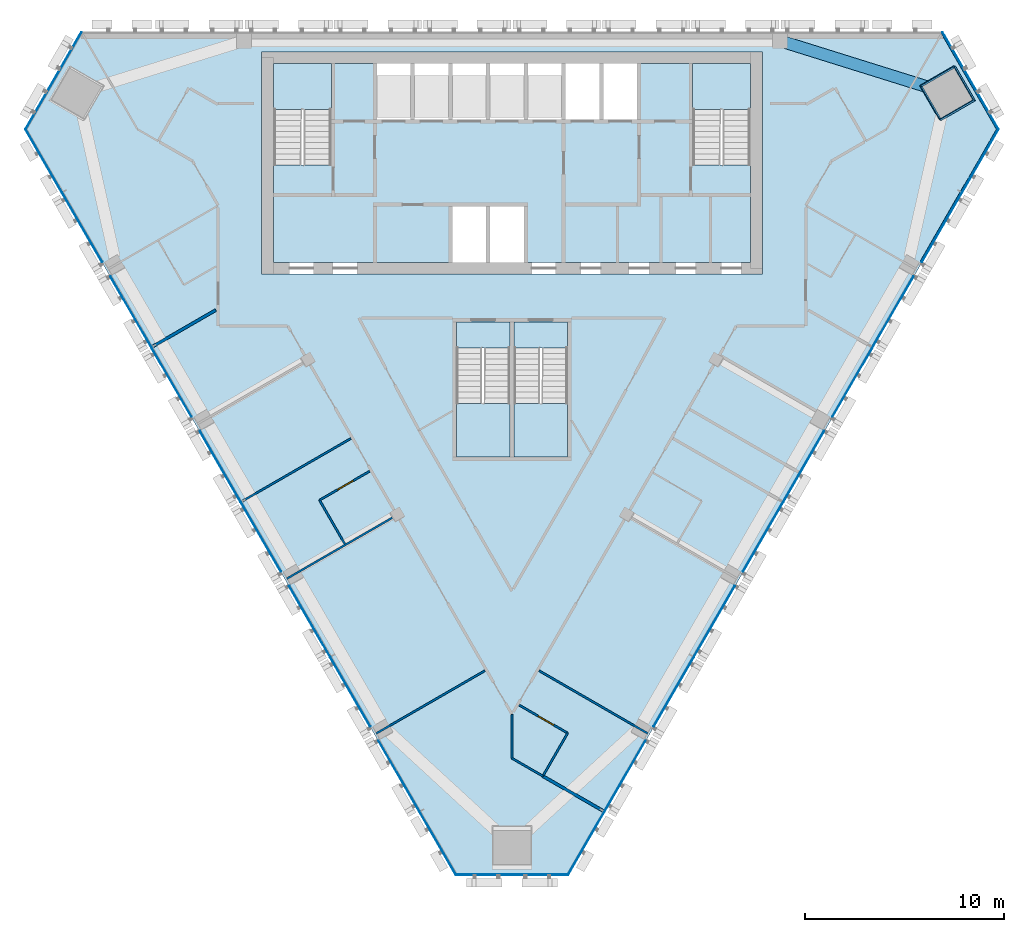
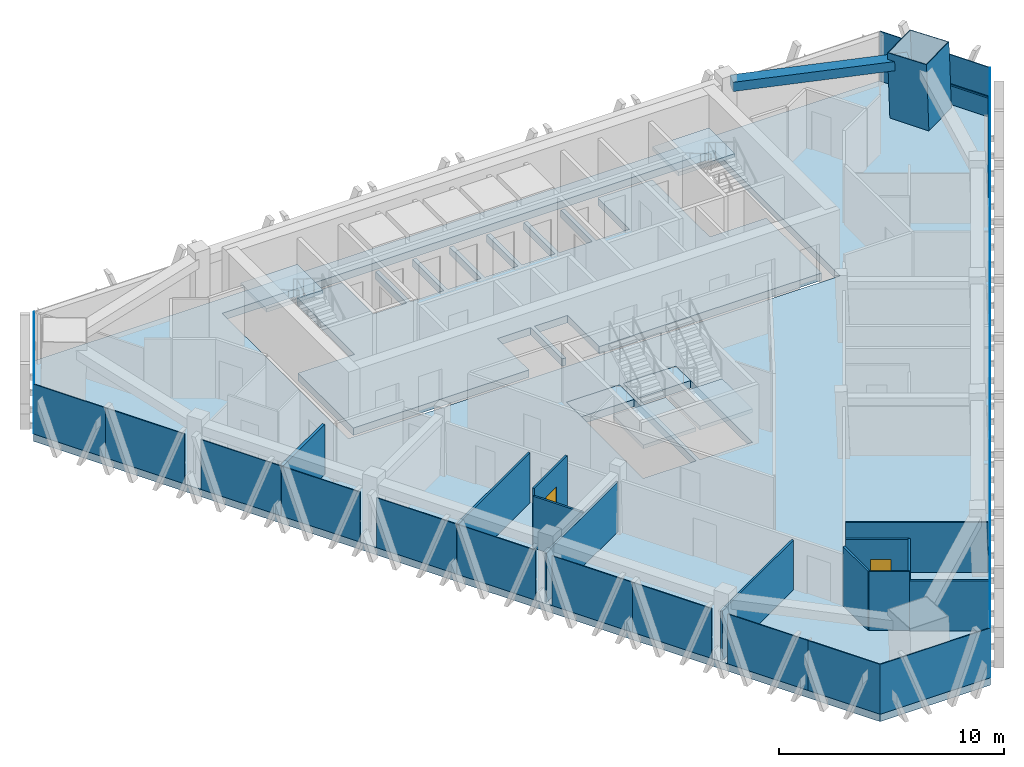
# One storey, part 7 of 14: 23 plates, 12 walls, 8 slabs, 3 members, 2 doors, 1 beam, 2 openings, 9 elements without a shape of their own.
"""IFC4 building model written with IfcOpenShell, lengths in metres."""

from ifc_helpers import new_model, si_unit, direction, frame, frame_2d, origin, origin_2d, place, context, subcontext, project, spatial, polyline, rectangle, hollow_rectangle, outline, extrude, material, layer, layer_set, material_profile, profile_set, type_object, element, fill, aggregate, save


model = new_model("IFC4")

# Units and contexts
model_context = context("Model", 3, precision=1e-05, world=origin(), true_north=direction((0.0, 1.0)))
body_context = subcontext(model_context, "Body", "Model", "MODEL_VIEW")
ifc_project = project(units=[si_unit("LENGTHUNIT", "METRE"), si_unit("AREAUNIT", "SQUARE_METRE"), si_unit("VOLUMEUNIT", "CUBIC_METRE"), si_unit("PLANEANGLEUNIT", "RADIAN"), si_unit("MASSUNIT", "GRAM", prefix="KILO")], contexts=[model_context])

# Site, building, storey
site_placement = place(None, origin())
site = spatial("IfcSite", under=ifc_project, at=site_placement, CompositionType="ELEMENT")
building_placement = place(site_placement, origin())
building = spatial("IfcBuilding", under=site, at=building_placement, Name="Altiplano Prism Tower", CompositionType="ELEMENT")
storey_placement = place(building_placement, frame((0.0, 0.0, 230.199951171875)))
storey = spatial("IfcBuildingStorey", under=building, at=storey_placement, Name="L59", CompositionType="ELEMENT", Elevation=230.199951171875)

# Curtain wall, member
ifc_material_1 = material(Name="Aluminium and glass", Category="aluminium")
ifc_layer_1 = layer(ifc_material_1, 0.280029296875)
ifc_layer_set_1 = layer_set([ifc_layer_1], Name="Aluminium and glass")
curtain_wall_type = type_object("IfcCurtainWallType", Name="CW1 typical co-living unitised curtain wall", PredefinedType="NOTDEFINED", material=ifc_layer_set_1)
curtain_wall_1_placement = place(storey_placement, origin())
curtain_wall_1 = element("IfcCurtainWall", 1, at=curtain_wall_1_placement, inside=storey, type_object=curtain_wall_type, Name="CW1 curtain wall south-east face L59", PredefinedType="NOTDEFINED")
ifc_material_2 = material(Name="Aluminium", Category="aluminium")
ifc_material_profile_1 = material_profile(ifc_material_2, rectangle(XDim=0.06005859375, YDim=0.080078125, at=origin_2d()), Name="CW1 transom 80 x 60")
ifc_profile_set_1 = profile_set([ifc_material_profile_1], Name="Aluminium")
member_type_1 = type_object("IfcMemberType", Name="CW1 transom 80 x 60", PredefinedType="USERDEFINED", material=ifc_profile_set_1)
member_1_placement = place(storey_placement, frame((105.588134765625, 93.440185546875, 1.10009765625), z_axis=(0.500016687369, 0.866015769113, 0.0), x_axis=(-0.866015769113, 0.500016687369, 0.0)))
member_1 = element("IfcMember", 2, at=member_1_placement, type_object=member_type_1, Name="CW1 transom", ObjectType="TRANSOM", PredefinedType="USERDEFINED", context=body_context, shape_type="SweptSolid", body=[
    extrude(rectangle(XDim=0.06005859375, YDim=0.080078125, at=origin_2d()), origin(), (0.0, 0.0, 1.0), 7.733154296875),
])

curtain_wall_2_placement = place(storey_placement, origin())
curtain_wall_2 = element("IfcCurtainWall", 3, at=curtain_wall_2_placement, inside=storey, type_object=curtain_wall_type, Name="CW1 curtain wall north-east chamfer L59", PredefinedType="NOTDEFINED")
member_2_placement = place(storey_placement, frame((109.454833984375, 100.067138671875, 1.10009765625), z_axis=(-0.500006439447, 0.866021685936, 0.0), x_axis=(-0.866021685936, -0.500006439447, 0.0)))
member_2 = element("IfcMember", 4, at=member_2_placement, type_object=member_type_1, Name="CW1 transom", ObjectType="TRANSOM", PredefinedType="USERDEFINED", context=body_context, shape_type="SweptSolid", body=[
    extrude(rectangle(XDim=0.06005859375, YDim=0.080078125, at=origin_2d()), origin(), (0.0, 0.0, 1.0), 5.65576171875),
])

# Beam
ifc_material_3 = material(Name="Concrete C60/75", Category="concrete")
ifc_material_profile_2 = material_profile(ifc_material_3, rectangle(XDim=0.60009765625, YDim=0.5, at=origin_2d()), Name="Edge beam 600x500")
ifc_profile_set_2 = profile_set([ifc_material_profile_2], Name="Concrete C60/75")
beam_type = type_object("IfcBeamType", Name="Edge beam 600x500", PredefinedType="SPANDREL", material=ifc_profile_set_2)
beam_placement = place(storey_placement, frame((106.44384765625, 102.068603515625, 2.949951171875), z_axis=(-0.954511813579, 0.298173100292, 0.0), x_axis=(-0.298173100292, -0.954511813579, 0.0)))
element("IfcBeam", 5, at=beam_placement, inside=storey, type_object=beam_type, Name="Edge beam M2-P01 L60", PredefinedType="SPANDREL", context=body_context, shape_type="SweptSolid", body=[
    extrude(rectangle(XDim=0.60009765625, YDim=0.5, at=origin_2d()), origin(), (0.0, 0.0, 1.0), 8.049560546875),
])

# Member
ifc_material_4 = material(Name="Steel S460", Category="steel")
ifc_material_profile_3 = material_profile(ifc_material_4, hollow_rectangle(XDim=2.0, YDim=2.0, WallThickness=0.0400390625, at=origin_2d()), Name="Mega column tube 2000")
ifc_profile_set_3 = profile_set([ifc_material_profile_3], Name="Steel S460")
member_type_2 = type_object("IfcMemberType", Name="Mega column tube 2000", PredefinedType="POST", material=ifc_profile_set_3)
member_3_placement = place(storey_placement, frame((106.9755859375, 101.901123046875, 0.0), z_axis=(-0.028334084323, 0.009218745139, 0.999555998633), x_axis=(0.500158596794, -0.865650184685, 0.022161584062)))
element("IfcMember", 6, at=member_3_placement, inside=storey, type_object=member_type_2, Name="Mega column tube M2 L59", PredefinedType="POST", context=body_context, shape_type="SweptSolid", body=[
    extrude(hollow_rectangle(XDim=2.0, YDim=2.0, WallThickness=0.0400390625, at=origin_2d()), origin(), (0.0, 0.0, 1.0), 3.601806640625),
])

# Curtain wall, plate
curtain_wall_3_placement = place(storey_placement, origin())
curtain_wall_3 = element("IfcCurtainWall", 7, at=curtain_wall_3_placement, inside=storey, type_object=curtain_wall_type, Name="CW1 curtain wall north-west chamfer L59", PredefinedType="NOTDEFINED")
ifc_material_5 = material(Name="Clear glass", Category="glass")
ifc_layer_2 = layer(ifc_material_5, 0.0400390625)
ifc_layer_set_2 = layer_set([ifc_layer_2], Name="Clear glass")
plate_type = type_object("IfcPlateType", Name="CW1 insulated glass unit 40", PredefinedType="CURTAIN_PANEL", material=ifc_layer_set_2)
plate_1_placement = place(storey_placement, frame((61.915771484375, 102.541015625, 0.0), z_axis=(0.0, 0.0, 1.0), x_axis=(-0.499999996811, -0.866025405626, 0.0)))
plate_1 = element("IfcPlate", 8, at=plate_1_placement, type_object=plate_type, Name="CW1 panel", PredefinedType="CURTAIN_PANEL", context=body_context, shape_type="SweptSolid", body=[
    extrude(rectangle(XDim=5.6455078125, YDim=0.0400390625, at=origin_2d()), origin(), (0.0, 0.0, 1.0), 2.699951171875),
])
aggregate(curtain_wall_3, [plate_1])

# Curtain wall, plates
curtain_wall_4_placement = place(storey_placement, origin())
curtain_wall_4 = element("IfcCurtainWall", 9, at=curtain_wall_4_placement, inside=storey, type_object=curtain_wall_type, Name="CW1 curtain wall south-west face L59", PredefinedType="NOTDEFINED")
plate_2_placement = place(storey_placement, frame((61.423828125, 98.515380859375, 0.0), z_axis=(0.0, 0.0, 1.0), x_axis=(0.500000005517, -0.866025400599, 0.0)))
plate_2 = element("IfcPlate", 10, at=plate_2_placement, type_object=plate_type, Name="CW1 panel", PredefinedType="CURTAIN_PANEL", context=body_context, shape_type="SweptSolid", body=[
    extrude(rectangle(XDim=3.677734375, YDim=0.0400390625, at=origin_2d()), origin(), (0.0, 0.0, 1.0), 2.699951171875),
])
plate_3_placement = place(storey_placement, frame((63.357177734375, 95.1669921875, 0.0), z_axis=(0.0, 0.0, 1.0), x_axis=(0.500000005517, -0.866025400599, 0.0)))
plate_3 = element("IfcPlate", 11, at=plate_3_placement, type_object=plate_type, Name="CW1 panel", PredefinedType="CURTAIN_PANEL", context=body_context, shape_type="SweptSolid", body=[
    extrude(rectangle(XDim=4.035400390625, YDim=0.0400390625, at=origin_2d()), origin(), (0.0, 0.0, 1.0), 2.699951171875),
])
plate_4_placement = place(storey_placement, frame((65.814697265625, 90.910400390625, 0.0), z_axis=(0.0, 0.0, 1.0), x_axis=(0.500000005517, -0.866025400599, 0.0)))
plate_4 = element("IfcPlate", 12, at=plate_4_placement, type_object=plate_type, Name="CW1 panel", PredefinedType="CURTAIN_PANEL", context=body_context, shape_type="SweptSolid", body=[
    extrude(rectangle(XDim=4.114501953125, YDim=0.0400390625, at=origin_2d()), origin(), (0.0, 0.0, 1.0), 2.699951171875),
])
plate_5_placement = place(storey_placement, frame((67.857177734375, 87.37255859375, 0.0), z_axis=(0.0, 0.0, 1.0), x_axis=(0.500000005517, -0.866025400599, 0.0)))
plate_5 = element("IfcPlate", 13, at=plate_5_placement, type_object=plate_type, Name="CW1 panel", PredefinedType="CURTAIN_PANEL", context=body_context, shape_type="SweptSolid", body=[
    extrude(rectangle(XDim=4.035400390625, YDim=0.0400390625, at=origin_2d()), origin(), (0.0, 0.0, 1.0), 2.699951171875),
])
plate_6_placement = place(storey_placement, frame((70.314697265625, 83.115966796875, 0.0), z_axis=(0.0, 0.0, 1.0), x_axis=(0.500000005517, -0.866025400599, 0.0)))
plate_6 = element("IfcPlate", 14, at=plate_6_placement, type_object=plate_type, Name="CW1 panel", PredefinedType="CURTAIN_PANEL", context=body_context, shape_type="SweptSolid", body=[
    extrude(rectangle(XDim=4.114501953125, YDim=0.0400390625, at=origin_2d()), origin(), (0.0, 0.0, 1.0), 2.699951171875),
])
plate_7_placement = place(storey_placement, frame((72.357177734375, 79.578369140625, 0.0), z_axis=(0.0, 0.0, 1.0), x_axis=(0.500000005517, -0.866025400599, 0.0)))
plate_7 = element("IfcPlate", 15, at=plate_7_placement, type_object=plate_type, Name="CW1 panel", PredefinedType="CURTAIN_PANEL", context=body_context, shape_type="SweptSolid", body=[
    extrude(rectangle(XDim=4.035400390625, YDim=0.0400390625, at=origin_2d()), origin(), (0.0, 0.0, 1.0), 2.699951171875),
])
plate_8_placement = place(storey_placement, frame((74.814697265625, 75.32177734375, 0.0), z_axis=(0.0, 0.0, 1.0), x_axis=(0.500000005517, -0.866025400599, 0.0)))
plate_8 = element("IfcPlate", 16, at=plate_8_placement, type_object=plate_type, Name="CW1 panel", PredefinedType="CURTAIN_PANEL", context=body_context, shape_type="SweptSolid", body=[
    extrude(rectangle(XDim=4.114501953125, YDim=0.0400390625, at=origin_2d()), origin(), (0.0, 0.0, 1.0), 2.699951171875),
])
plate_9_placement = place(storey_placement, frame((76.857177734375, 71.7841796875, 0.0), z_axis=(0.0, 0.0, 1.0), x_axis=(0.500000005517, -0.866025400599, 0.0)))
plate_9 = element("IfcPlate", 17, at=plate_9_placement, type_object=plate_type, Name="CW1 panel", PredefinedType="CURTAIN_PANEL", context=body_context, shape_type="SweptSolid", body=[
    extrude(rectangle(XDim=4.035400390625, YDim=0.0400390625, at=origin_2d()), origin(), (0.0, 0.0, 1.0), 2.699951171875),
])
plate_10_placement = place(storey_placement, frame((79.314697265625, 67.527587890625, 0.0), z_axis=(0.0, 0.0, 1.0), x_axis=(0.500000005517, -0.866025400599, 0.0)))
plate_10 = element("IfcPlate", 18, at=plate_10_placement, type_object=plate_type, Name="CW1 panel", PredefinedType="CURTAIN_PANEL", context=body_context, shape_type="SweptSolid", body=[
    extrude(rectangle(XDim=4.114501953125, YDim=0.0400390625, at=origin_2d()), origin(), (0.0, 0.0, 1.0), 2.699951171875),
])
plate_11_placement = place(storey_placement, frame((81.267578125, 64.14501953125, 0.0), z_axis=(0.0, 0.0, 1.0), x_axis=(0.500000005517, -0.866025400599, 0.0)))
plate_11 = element("IfcPlate", 19, at=plate_11_placement, type_object=plate_type, Name="CW1 panel", PredefinedType="CURTAIN_PANEL", context=body_context, shape_type="SweptSolid", body=[
    extrude(rectangle(XDim=3.677734375, YDim=0.0400390625, at=origin_2d()), origin(), (0.0, 0.0, 1.0), 2.699951171875),
])
aggregate(curtain_wall_4, [plate_2, plate_3, plate_4, plate_5, plate_6, plate_7, plate_8, plate_9, plate_10, plate_11])

# Curtain wall, plate
curtain_wall_5_placement = place(storey_placement, origin())
curtain_wall_5 = element("IfcCurtainWall", 20, at=curtain_wall_5_placement, inside=storey, type_object=curtain_wall_type, Name="CW1 curtain wall south chamfer L59", PredefinedType="NOTDEFINED")
plate_12_placement = place(storey_placement, frame((85.0, 62.55810546875, 0.0), z_axis=(0.0, 0.0, 1.0), x_axis=(1.0, 0.0, 0.0)))
plate_12 = element("IfcPlate", 21, at=plate_12_placement, type_object=plate_type, Name="CW1 panel", PredefinedType="CURTAIN_PANEL", context=body_context, shape_type="SweptSolid", body=[
    extrude(rectangle(XDim=5.6455078125, YDim=0.0400390625, at=origin_2d()), origin(), (0.0, 0.0, 1.0), 2.699951171875),
])
aggregate(curtain_wall_5, [plate_12])

# Plate
plate_13_placement = place(storey_placement, frame((88.732421875, 64.14501953125, 0.0), z_axis=(0.0, 0.0, 1.0), x_axis=(0.500000005517, 0.866025400599, 0.0)))
plate_13 = element("IfcPlate", 22, at=plate_13_placement, type_object=plate_type, Name="CW1 panel", PredefinedType="CURTAIN_PANEL", context=body_context, shape_type="SweptSolid", body=[
    extrude(rectangle(XDim=3.677734375, YDim=0.0400390625, at=origin_2d()), origin(), (0.0, 0.0, 1.0), 2.699951171875),
])

plate_14_placement = place(storey_placement, frame((90.685302734375, 67.527587890625, 0.0), z_axis=(0.0, 0.0, 1.0), x_axis=(0.500000005517, 0.866025400599, 0.0)))
plate_14 = element("IfcPlate", 23, at=plate_14_placement, type_object=plate_type, Name="CW1 panel", PredefinedType="CURTAIN_PANEL", context=body_context, shape_type="SweptSolid", body=[
    extrude(rectangle(XDim=4.114501953125, YDim=0.0400390625, at=origin_2d()), origin(), (0.0, 0.0, 1.0), 2.699951171875),
])

plate_15_placement = place(storey_placement, frame((93.142822265625, 71.7841796875, 0.0), z_axis=(0.0, 0.0, 1.0), x_axis=(0.500000005517, 0.866025400599, 0.0)))
plate_15 = element("IfcPlate", 24, at=plate_15_placement, type_object=plate_type, Name="CW1 panel", PredefinedType="CURTAIN_PANEL", context=body_context, shape_type="SweptSolid", body=[
    extrude(rectangle(XDim=4.035400390625, YDim=0.0400390625, at=origin_2d()), origin(), (0.0, 0.0, 1.0), 2.699951171875),
])

plate_16_placement = place(storey_placement, frame((95.185302734375, 75.32177734375, 0.0), z_axis=(0.0, 0.0, 1.0), x_axis=(0.500000005517, 0.866025400599, 0.0)))
plate_16 = element("IfcPlate", 25, at=plate_16_placement, type_object=plate_type, Name="CW1 panel", PredefinedType="CURTAIN_PANEL", context=body_context, shape_type="SweptSolid", body=[
    extrude(rectangle(XDim=4.114501953125, YDim=0.0400390625, at=origin_2d()), origin(), (0.0, 0.0, 1.0), 2.699951171875),
])

plate_17_placement = place(storey_placement, frame((97.642822265625, 79.578369140625, 0.0), z_axis=(0.0, 0.0, 1.0), x_axis=(0.500000005517, 0.866025400599, 0.0)))
plate_17 = element("IfcPlate", 26, at=plate_17_placement, type_object=plate_type, Name="CW1 panel", PredefinedType="CURTAIN_PANEL", context=body_context, shape_type="SweptSolid", body=[
    extrude(rectangle(XDim=4.035400390625, YDim=0.0400390625, at=origin_2d()), origin(), (0.0, 0.0, 1.0), 2.699951171875),
])

plate_18_placement = place(storey_placement, frame((99.685302734375, 83.115966796875, 0.0), z_axis=(0.0, 0.0, 1.0), x_axis=(0.500000005517, 0.866025400599, 0.0)))
plate_18 = element("IfcPlate", 27, at=plate_18_placement, type_object=plate_type, Name="CW1 panel", PredefinedType="CURTAIN_PANEL", context=body_context, shape_type="SweptSolid", body=[
    extrude(rectangle(XDim=4.114501953125, YDim=0.0400390625, at=origin_2d()), origin(), (0.0, 0.0, 1.0), 2.699951171875),
])

plate_19_placement = place(storey_placement, frame((102.142822265625, 87.37255859375, 0.0), z_axis=(0.0, 0.0, 1.0), x_axis=(0.500000005517, 0.866025400599, 0.0)))
plate_19 = element("IfcPlate", 28, at=plate_19_placement, type_object=plate_type, Name="CW1 panel", PredefinedType="CURTAIN_PANEL", context=body_context, shape_type="SweptSolid", body=[
    extrude(rectangle(XDim=4.035400390625, YDim=0.0400390625, at=origin_2d()), origin(), (0.0, 0.0, 1.0), 2.699951171875),
])

plate_20_placement = place(storey_placement, frame((104.185302734375, 90.910400390625, 0.0), z_axis=(0.0, 0.0, 1.0), x_axis=(0.500000005517, 0.866025400599, 0.0)))
plate_20 = element("IfcPlate", 29, at=plate_20_placement, type_object=plate_type, Name="CW1 panel", PredefinedType="CURTAIN_PANEL", context=body_context, shape_type="SweptSolid", body=[
    extrude(rectangle(XDim=4.114501953125, YDim=0.0400390625, at=origin_2d()), origin(), (0.0, 0.0, 1.0), 2.699951171875),
])

plate_21_placement = place(storey_placement, frame((106.642822265625, 95.1669921875, 0.0), z_axis=(0.0, 0.0, 1.0), x_axis=(0.500000005517, 0.866025400599, 0.0)))
plate_21 = element("IfcPlate", 30, at=plate_21_placement, type_object=plate_type, Name="CW1 panel", PredefinedType="CURTAIN_PANEL", context=body_context, shape_type="SweptSolid", body=[
    extrude(rectangle(XDim=4.035400390625, YDim=0.0400390625, at=origin_2d()), origin(), (0.0, 0.0, 1.0), 2.699951171875),
])

plate_22_placement = place(storey_placement, frame((108.576171875, 98.515380859375, 0.0), z_axis=(0.0, 0.0, 1.0), x_axis=(0.500000005517, 0.866025400599, 0.0)))
plate_22 = element("IfcPlate", 31, at=plate_22_placement, type_object=plate_type, Name="CW1 panel", PredefinedType="CURTAIN_PANEL", context=body_context, shape_type="SweptSolid", body=[
    extrude(rectangle(XDim=3.677734375, YDim=0.0400390625, at=origin_2d()), origin(), (0.0, 0.0, 1.0), 2.699951171875),
])

aggregate(curtain_wall_1, [plate_13, plate_14, plate_15, plate_16, plate_17, plate_18, plate_19, plate_20, member_1, plate_21, plate_22])

plate_23_placement = place(storey_placement, frame((108.084228515625, 102.541015625, 0.0), z_axis=(0.0, 0.0, 1.0), x_axis=(-0.499999996811, 0.866025405626, 0.0)))
plate_23 = element("IfcPlate", 32, at=plate_23_placement, type_object=plate_type, Name="CW1 panel", PredefinedType="CURTAIN_PANEL", context=body_context, shape_type="SweptSolid", body=[
    extrude(rectangle(XDim=5.6455078125, YDim=0.0400390625, at=origin_2d()), origin(), (0.0, 0.0, 1.0), 2.699951171875),
])

aggregate(curtain_wall_2, [member_2, plate_23])

# Slabs
ifc_material_6 = material(Name="Concrete C40/50", Category="concrete")
ifc_layer_3 = layer(ifc_material_6, 0.39990234375)
ifc_layer_set_3 = layer_set([ifc_layer_3], Name="Concrete C40/50")
slab_type_1 = type_object("IfcSlabType", Name="Core floor slab 400", PredefinedType="FLOOR", material=ifc_layer_set_3)
slab_1_placement = place(storey_placement, frame((0.0, 0.0, -0.39990234375)))
element("IfcSlab", 33, at=slab_1_placement, inside=storey, type_object=slab_type_1, Name="Core floor slab L59", PredefinedType="FLOOR", context=body_context, shape_type="SweptSolid", body=[
    extrude(outline(polyline([(97.0, 98.31005859375), (94.10009765625, 98.31005859375), (94.10009765625, 103.39990234375), (91.300048828125, 103.39990234375), (91.300048828125, 100.60009765625), (89.60009765625, 100.60009765625), (89.60009765625, 103.39990234375), (89.39990234375, 103.39990234375), (89.39990234375, 100.60009765625), (87.699951171875, 100.60009765625), (87.699951171875, 103.39990234375), (87.5, 103.39990234375), (87.5, 100.60009765625), (85.800048828125, 100.60009765625), (85.800048828125, 103.39990234375), (85.60009765625, 103.39990234375), (85.60009765625, 100.60009765625), (83.89990234375, 100.60009765625), (83.89990234375, 103.39990234375), (83.699951171875, 103.39990234375), (83.699951171875, 100.60009765625), (82.0, 100.60009765625), (82.0, 103.39990234375), (81.800048828125, 103.39990234375), (81.800048828125, 100.60009765625), (80.10009765625, 100.60009765625), (80.10009765625, 103.39990234375), (79.89990234375, 103.39990234375), (79.89990234375, 100.60009765625), (78.199951171875, 100.60009765625), (78.199951171875, 103.39990234375), (75.89990234375, 103.39990234375), (75.89990234375, 98.31005859375), (73.0, 98.31005859375), (73.0, 93.39990234375), (82.0, 93.39990234375), (82.0, 96.199951171875), (83.699951171875, 96.199951171875), (83.699951171875, 93.39990234375), (83.89990234375, 93.39990234375), (83.89990234375, 96.199951171875), (85.60009765625, 96.199951171875), (85.60009765625, 93.39990234375), (97.0, 93.39990234375), (97.0, 98.31005859375)])), origin(), (0.0, 0.0, 1.0), 0.39990234375),
])
slab_2_placement = place(storey_placement, frame((0.0, 0.0, -0.39990234375)))
element("IfcSlab", 34, at=slab_2_placement, inside=storey, type_object=slab_type_1, Name="Stair 3A landing slab L59", PredefinedType="FLOOR", context=body_context, shape_type="SweptSolid", body=[
    extrude(outline(polyline([(82.199951171875, 89.096923828125), (84.89990234375, 89.096923828125), (84.89990234375, 90.39990234375), (82.199951171875, 90.39990234375), (82.199951171875, 89.096923828125)])), origin(), (0.0, 0.0, 1.0), 0.39990234375),
])
slab_3_placement = place(storey_placement, frame((0.0, 0.0, -0.39990234375)))
element("IfcSlab", 35, at=slab_3_placement, inside=storey, type_object=slab_type_1, Name="Stair 3B landing slab L59", PredefinedType="FLOOR", context=body_context, shape_type="SweptSolid", body=[
    extrude(outline(polyline([(85.10009765625, 89.096923828125), (87.800048828125, 89.096923828125), (87.800048828125, 90.39990234375), (85.10009765625, 90.39990234375), (85.10009765625, 89.096923828125)])), origin(), (0.0, 0.0, 1.0), 0.39990234375),
])
ifc_layer_4 = layer(ifc_material_6, 0.39990234375)
ifc_layer_set_4 = layer_set([ifc_layer_4], Name="Concrete C40/50")
slab_type_2 = type_object("IfcSlabType", Name="Post-tensioned flat slab 400", PredefinedType="FLOOR", material=ifc_layer_set_4)
slab_4_placement = place(storey_placement, frame((0.0, 0.0, -0.39990234375)))
element("IfcSlab", 36, at=slab_4_placement, inside=storey, type_object=slab_type_2, Name="Floor slab L59", PredefinedType="FLOOR", context=body_context, shape_type="SweptSolid", body=[
    extrude(outline(polyline([(82.17236328125, 62.5380859375), (60.484619140625, 100.102294921875), (63.312255859375, 105.0), (106.687744140625, 105.0), (109.515380859375, 100.102294921875), (87.82763671875, 62.5380859375), (82.17236328125, 62.5380859375)]), holes=[polyline([(72.39990234375, 104.0), (72.39990234375, 92.800048828125), (97.60009765625, 92.800048828125), (97.60009765625, 104.0), (72.39990234375, 104.0)]), polyline([(84.89990234375, 90.39990234375), (82.199951171875, 90.39990234375), (82.199951171875, 83.60009765625), (84.89990234375, 83.60009765625), (84.89990234375, 90.39990234375)]), polyline([(87.800048828125, 83.60009765625), (87.800048828125, 90.39990234375), (85.10009765625, 90.39990234375), (85.10009765625, 83.60009765625), (87.800048828125, 83.60009765625)])]), origin(), (0.0, 0.0, 1.0), 0.39990234375),
])

# Stair, slab
stair_type_1 = type_object("IfcStairType", Name="Exit stair 1400", PredefinedType="HALF_TURN_STAIR", material=ifc_material_6)
stair_1_placement = place(storey_placement, origin())
stair_1 = element("IfcStair", 37, at=stair_1_placement, inside=storey, type_object=stair_type_1, Name="L59 Exit Stair 1", PredefinedType="HALF_TURN_STAIR")
ifc_layer_5 = layer(ifc_material_6, 0.199951171875)
ifc_layer_set_5 = layer_set([ifc_layer_5], Name="Concrete C40/50")
slab_type_3 = type_object("IfcSlabType", Name="Stair landing 200", PredefinedType="LANDING", material=ifc_layer_set_5)
slab_5_placement = place(storey_placement, frame((0.0, 0.0, 1.60009765625)))
slab_5 = element("IfcSlab", 38, at=slab_5_placement, type_object=slab_type_3, Name="ST1 landing 1", PredefinedType="LANDING", context=body_context, shape_type="SweptSolid", body=[
    extrude(outline(polyline([(75.89990234375, 101.096923828125), (75.89990234375, 103.39990234375), (73.0, 103.39990234375), (73.0, 101.096923828125), (75.89990234375, 101.096923828125)])), origin(), (0.0, 0.0, 1.0), 0.199951171875),
])
aggregate(stair_1, [slab_5])

stair_2_placement = place(storey_placement, origin())
stair_2 = element("IfcStair", 39, at=stair_2_placement, inside=storey, type_object=stair_type_1, Name="L59 Exit Stair 2", PredefinedType="HALF_TURN_STAIR")
slab_6_placement = place(storey_placement, frame((0.0, 0.0, 1.60009765625)))
slab_6 = element("IfcSlab", 40, at=slab_6_placement, type_object=slab_type_3, Name="ST2 landing 1", PredefinedType="LANDING", context=body_context, shape_type="SweptSolid", body=[
    extrude(outline(polyline([(97.0, 101.096923828125), (97.0, 103.39990234375), (94.10009765625, 103.39990234375), (94.10009765625, 101.096923828125), (97.0, 101.096923828125)])), origin(), (0.0, 0.0, 1.0), 0.199951171875),
])
aggregate(stair_2, [slab_6])

stair_type_2 = type_object("IfcStairType", Name="Exit stair 1300", PredefinedType="HALF_TURN_STAIR", material=ifc_material_6)
stair_3_placement = place(storey_placement, origin())
stair_3 = element("IfcStair", 41, at=stair_3_placement, inside=storey, type_object=stair_type_2, Name="L59 Exit Stair 3A", PredefinedType="HALF_TURN_STAIR")
slab_7_placement = place(storey_placement, frame((0.0, 0.0, 1.60009765625)))
slab_7 = element("IfcSlab", 42, at=slab_7_placement, type_object=slab_type_3, Name="ST3A landing 1", PredefinedType="LANDING", context=body_context, shape_type="SweptSolid", body=[
    extrude(outline(polyline([(82.199951171875, 86.302978515625), (82.199951171875, 83.60009765625), (84.89990234375, 83.60009765625), (84.89990234375, 86.302978515625), (82.199951171875, 86.302978515625)])), origin(), (0.0, 0.0, 1.0), 0.199951171875),
])
aggregate(stair_3, [slab_7])

stair_4_placement = place(storey_placement, origin())
stair_4 = element("IfcStair", 43, at=stair_4_placement, inside=storey, type_object=stair_type_2, Name="L59 Exit Stair 3B", PredefinedType="HALF_TURN_STAIR")
slab_8_placement = place(storey_placement, frame((0.0, 0.0, 1.60009765625)))
slab_8 = element("IfcSlab", 44, at=slab_8_placement, type_object=slab_type_3, Name="ST3B landing 1", PredefinedType="LANDING", context=body_context, shape_type="SweptSolid", body=[
    extrude(outline(polyline([(85.10009765625, 86.302978515625), (85.10009765625, 83.60009765625), (87.800048828125, 83.60009765625), (87.800048828125, 86.302978515625), (85.10009765625, 86.302978515625)])), origin(), (0.0, 0.0, 1.0), 0.199951171875),
])
aggregate(stair_4, [slab_8])

# Wall
ifc_material_7 = material(Name="Plasterboard on steel stud", Category="steel")
ifc_layer_6 = layer(ifc_material_7, 0.10009765625)
ifc_layer_set_6 = layer_set([ifc_layer_6], Name="Plasterboard on steel stud")
wall_type_1 = type_object("IfcWallType", Name="Partition 100 unit", PredefinedType="PARTITIONING", material=ifc_layer_set_6)
wall_1_placement = place(storey_placement, frame((76.58447265625, 79.21630859375, 0.0), z_axis=(0.0, 0.0, 1.0), x_axis=(-0.499948979701, 0.866054858364, 0.0)))
element("IfcWall", 45, at=wall_1_placement, inside=storey, type_object=wall_type_1, Name="Partition P02 L59 033", PredefinedType="PARTITIONING", context=body_context, shape_type="SweptSolid", body=[
    extrude(rectangle(XDim=2.550048828125, YDim=0.10009765625, at=frame_2d((1.27490234375, 0.0))), origin(), (0.0, 0.0, 1.0), 2.800048828125),
])

# Wall, opening, door
wall_2_placement = place(storey_placement, frame((75.3095703125, 81.4248046875, 0.0), z_axis=(0.0, 0.0, 1.0), x_axis=(0.866025730634, 0.499999433879, 0.0)))
wall_2 = element("IfcWall", 46, at=wall_2_placement, inside=storey, type_object=wall_type_1, Name="Partition P02 L59 034", PredefinedType="PARTITIONING", context=body_context, shape_type="SweptSolid", body=[
    extrude(rectangle(XDim=2.9248046875, YDim=0.10009765625, at=frame_2d((1.46240234375, 0.0))), origin(), (0.0, 0.0, 1.0), 3.199951171875),
])
opening_1_placement = place(wall_2_placement, frame((1.050048828125, 0.0, 0.0)))
opening_1 = element("IfcOpeningElement", 47, at=opening_1_placement, cuts=wall_2, Name="Opening D1957", PredefinedType="OPENING", context=body_context, shape_type="SweptSolid", body=[
    extrude(rectangle(XDim=0.89990234375, YDim=2.10009765625, at=frame_2d((0.449951171875, 1.050048828125))), frame((0.0, 0.060546875, 0.0), z_axis=(0.0, -1.0, 0.0), x_axis=(1.0, 0.0, 0.0)), (0.0, 0.0, 1.0), 0.12109375),
])
ifc_material_8 = material(Name="Timber", Category="wood")
door_type = type_object("IfcDoorType", Name="Ensuite door 900 x 2100", OperationType="NOTDEFINED", PredefinedType="NOTDEFINED", material=ifc_material_8)
door_1_placement = place(opening_1_placement, origin())
door_1 = element("IfcDoor", 48, at=door_1_placement, inside=storey, type_object=door_type, Name="Door D1957", OperationType="SINGLE_SWING_LEFT", OverallHeight=2.10009765625, OverallWidth=0.89990234375, PredefinedType="NOTDEFINED", context=body_context, shape_type="SweptSolid", body=[
    extrude(rectangle(XDim=0.89990234375, YDim=2.10009765625, at=frame_2d((0.449951171875, 1.050048828125))), frame((0.0, 0.02490234375, 0.0), z_axis=(0.0, -1.0, 0.0), x_axis=(1.0, 0.0, 0.0)), (0.0, 0.0, 1.0), 0.050048828125),
])
fill(opening_1, door_1)

wall_3_placement = place(storey_placement, frame((85.357421875, 71.109375, 0.0), z_axis=(0.0, 0.0, 1.0), x_axis=(0.866011447264, -0.500024172624, 0.0)))
wall_3 = element("IfcWall", 49, at=wall_3_placement, inside=storey, type_object=wall_type_1, Name="Partition P02 L59 040", PredefinedType="PARTITIONING", context=body_context, shape_type="SweptSolid", body=[
    extrude(rectangle(XDim=2.824951171875, YDim=0.10009765625, at=frame_2d((1.41259765625, 0.0))), origin(), (0.0, 0.0, 1.0), 3.199951171875),
])
opening_2_placement = place(wall_3_placement, frame((1.110107421875, 0.0, 0.0)))
opening_2 = element("IfcOpeningElement", 50, at=opening_2_placement, cuts=wall_3, Name="Opening D1961", PredefinedType="OPENING", context=body_context, shape_type="SweptSolid", body=[
    extrude(rectangle(XDim=0.89990234375, YDim=2.10009765625, at=frame_2d((0.449951171875, 1.050048828125))), frame((0.0, 0.060546875, 0.0), z_axis=(0.0, -1.0, 0.0), x_axis=(1.0, 0.0, 0.0)), (0.0, 0.0, 1.0), 0.12109375),
])
door_2_placement = place(opening_2_placement, origin())
door_2 = element("IfcDoor", 51, at=door_2_placement, inside=storey, type_object=door_type, Name="Door D1961", OperationType="SINGLE_SWING_RIGHT", OverallHeight=2.10009765625, OverallWidth=0.89990234375, PredefinedType="NOTDEFINED", context=body_context, shape_type="SweptSolid", body=[
    extrude(rectangle(XDim=0.89990234375, YDim=2.10009765625, at=frame_2d((0.449951171875, 1.050048828125))), frame((0.0, 0.02490234375, 0.0), z_axis=(0.0, -1.0, 0.0), x_axis=(1.0, 0.0, 0.0)), (0.0, 0.0, 1.0), 0.050048828125),
])
fill(opening_2, door_2)

# Walls
wall_4_placement = place(storey_placement, frame((87.803955078125, 69.69677734375, 0.0), z_axis=(0.0, 0.0, 1.0), x_axis=(-0.500004234368, -0.866022959057, 0.0)))
element("IfcWall", 52, at=wall_4_placement, inside=storey, type_object=wall_type_1, Name="Partition P02 L59 041", PredefinedType="PARTITIONING", context=body_context, shape_type="SweptSolid", body=[
    extrude(rectangle(XDim=2.5, YDim=0.10009765625, at=frame_2d((1.25, 0.0))), origin(), (0.0, 0.0, 1.0), 3.199951171875),
])
ifc_layer_7 = layer(ifc_material_7, 0.10009765625)
ifc_layer_set_7 = layer_set([ifc_layer_7], Name="Plasterboard on steel stud")
wall_type_2 = type_object("IfcWallType", Name="Partition 100 wet", PredefinedType="PARTITIONING", material=ifc_layer_set_7)
wall_5_placement = place(storey_placement, frame((71.3974609375, 81.360107421875, 0.0), z_axis=(0.0, 0.0, 1.0), x_axis=(0.866025401434, 0.500000004071, 0.0)))
element("IfcWall", 53, at=wall_5_placement, inside=storey, type_object=wall_type_2, Name="Partition P03 L59 032", PredefinedType="PARTITIONING", context=body_context, shape_type="SweptSolid", body=[
    extrude(rectangle(XDim=6.34521484375, YDim=0.10009765625, at=frame_2d((3.172607421875, 0.0))), origin(), (0.0, 0.0, 1.0), 2.699951171875),
])
for number, where, z_axis, x_axis, name in (
    (54, (73.6650390625, 77.47314453125, 0.0), (0.0, 0.0, 1.0), (0.866032601554, 0.49998753289, 0.0), "Partition P03 L59 035"),
    (55, (78.1650390625, 69.6787109375, 0.0), (0.0, 0.0, 1.0), (0.866015887322, 0.500016482634, 0.0), "Partition P03 L59 036"),
):
    element("IfcWall", number, at=place(storey_placement, frame(where, z_axis=z_axis, x_axis=x_axis)), inside=storey, type_object=wall_type_2, Name=name, PredefinedType="PARTITIONING", context=body_context, shape_type="SweptSolid", body=[
        extrude(rectangle(XDim=6.324951171875, YDim=0.10009765625, at=frame_2d((3.16259765625, 0.0))), origin(), (0.0, 0.0, 1.0), 2.699951171875),
    ])
wall_6_placement = place(storey_placement, frame((86.553955078125, 67.53173828125, 0.0), z_axis=(0.0, 0.0, 1.0), x_axis=(-0.866074565589, 0.499914839587, 0.0)))
element("IfcWall", 56, at=wall_6_placement, inside=storey, type_object=wall_type_2, Name="Partition P03 L59 038", PredefinedType="PARTITIONING", context=body_context, shape_type="SweptSolid", body=[
    extrude(rectangle(XDim=1.794189453125, YDim=0.10009765625, at=frame_2d((0.89697265625, 0.0))), origin(), (0.0, 0.0, 1.0), 3.199951171875),
])
wall_7_placement = place(storey_placement, frame((85.0, 68.4287109375, 0.0), z_axis=(0.0, 0.0, 1.0), x_axis=(0.0, 1.0, 0.0)))
element("IfcWall", 57, at=wall_7_placement, inside=storey, type_object=wall_type_2, Name="Partition P03 L59 039", PredefinedType="PARTITIONING", context=body_context, shape_type="SweptSolid", body=[
    extrude(rectangle(XDim=2.211669921875, YDim=0.10009765625, at=frame_2d((1.10595703125, 0.0))), origin(), (0.0, 0.0, 1.0), 3.199951171875),
])
wall_8_placement = place(storey_placement, frame((91.8349609375, 69.678955078125, 0.0), z_axis=(0.0, 0.0, 1.0), x_axis=(-0.866032601554, 0.49998753289, 0.0)))
element("IfcWall", 58, at=wall_8_placement, inside=storey, type_object=wall_type_2, Name="Partition P03 L59 042", PredefinedType="PARTITIONING", context=body_context, shape_type="SweptSolid", body=[
    extrude(rectangle(XDim=6.324951171875, YDim=0.10009765625, at=frame_2d((3.16259765625, 0.0))), origin(), (0.0, 0.0, 1.0), 2.699951171875),
])
ifc_layer_8 = layer(ifc_material_7, 0.14990234375)
ifc_layer_set_8 = layer_set([ifc_layer_8], Name="Plasterboard on steel stud")
wall_type_3 = type_object("IfcWallType", Name="Partition 150 party", PredefinedType="PARTITIONING", material=ifc_layer_set_8)
wall_9_placement = place(storey_placement, frame((66.8974609375, 89.154296875, 0.0), z_axis=(0.0, 0.0, 1.0), x_axis=(0.866015605892, 0.500016970063, 0.0)))
element("IfcWall", 59, at=wall_9_placement, inside=storey, type_object=wall_type_3, Name="Partition P01 L59 030", PredefinedType="PARTITIONING", context=body_context, shape_type="SweptSolid", body=[
    extrude(rectangle(XDim=3.683349609375, YDim=0.14990234375, at=frame_2d((1.841796875, 0.0))), origin(), (0.0, 0.0, 1.0), 2.699951171875),
])
wall_10_placement = place(storey_placement, frame((89.6025390625, 65.771484375, 0.0), z_axis=(0.0, 0.0, 1.0), x_axis=(-0.866006568332, 0.500032622541, 0.0)))
element("IfcWall", 60, at=wall_10_placement, inside=storey, type_object=wall_type_3, Name="Partition P01 L59 037", PredefinedType="PARTITIONING", context=body_context, shape_type="SweptSolid", body=[
    extrude(rectangle(XDim=3.520263671875, YDim=0.14990234375, at=frame_2d((1.76025390625, 0.0))), origin(), (0.0, 0.0, 1.0), 2.699951171875),
])

save(model, "model.ifc")
